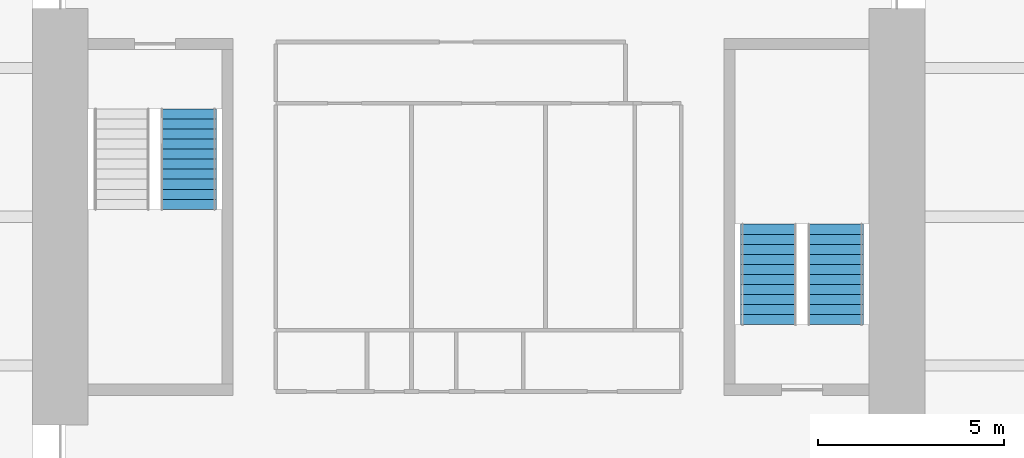
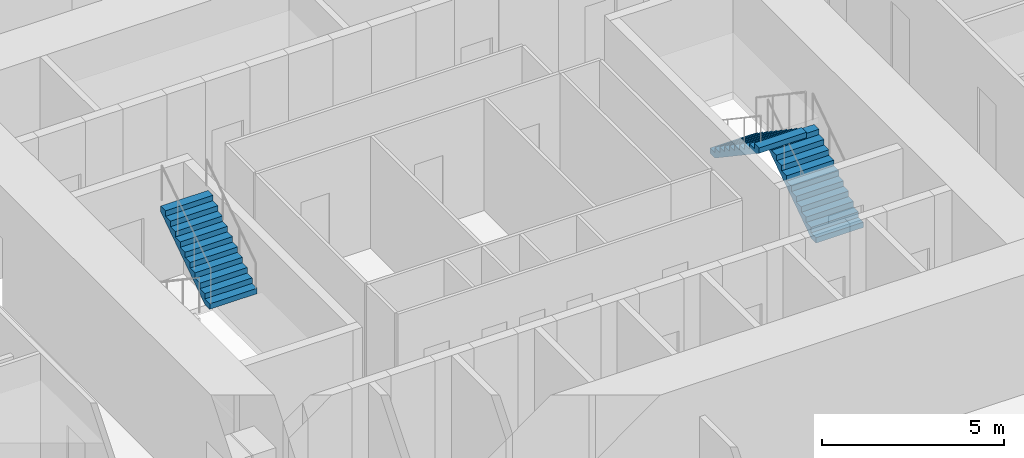
# One storey, part 16 of 17: 3 stair flights, 2 elements without a shape of their own.
"""IFC4 building model written with IfcOpenShell, lengths in metres."""

from ifc_helpers import new_model, si_unit, direction, frame, origin, place, context, subcontext, project, spatial, polyline, outline, extrude, material, type_object, element, aggregate, save


model = new_model("IFC4")

# Units and contexts
model_context = context("Model", 3, precision=1e-05, world=origin(), true_north=direction((0.0, 1.0)))
body_context = subcontext(model_context, "Body", "Model", "MODEL_VIEW")
ifc_project = project(units=[si_unit("LENGTHUNIT", "METRE"), si_unit("AREAUNIT", "SQUARE_METRE"), si_unit("VOLUMEUNIT", "CUBIC_METRE"), si_unit("PLANEANGLEUNIT", "RADIAN"), si_unit("MASSUNIT", "GRAM", prefix="KILO")], contexts=[model_context])

# Site, building, storey
site_placement = place(None, origin())
site = spatial("IfcSite", under=ifc_project, at=site_placement, CompositionType="ELEMENT")
building_placement = place(site_placement, origin())
building = spatial("IfcBuilding", under=site, at=building_placement, Name="Peilmerk Tower", CompositionType="ELEMENT")
storey_placement = place(building_placement, frame((0.0, 0.0, 147.800048828125)))
storey = spatial("IfcBuildingStorey", under=building, at=storey_placement, Name="L30", CompositionType="ELEMENT", Elevation=147.800048828125)

# Stair, stair flight
ifc_material = material(Name="Precast concrete C45/55", Category="concrete")
stair_type_1 = type_object("IfcStairType", Name="ST1 22 risers of 181.8", PredefinedType="HALF_TURN_STAIR", material=ifc_material)
stair_1_placement = place(storey_placement, origin())
stair_1 = element("IfcStair", 1, at=stair_1_placement, inside=storey, type_object=stair_type_1, Name="Stair 1 L30 to L31", PredefinedType="HALF_TURN_STAIR")
stair_flight_type = type_object("IfcStairFlightType", Name="SF11 flight, 11 risers of 181.8", PredefinedType="STRAIGHT", material=ifc_material)
stair_flight_1_placement = place(storey_placement, frame((-7.800048828125, 0.199951171875, 2.0), z_axis=(0.0, 0.0, 1.0), x_axis=(0.0, 1.0, 0.0)))
stair_flight_1 = element("IfcStairFlight", 2, at=stair_flight_1_placement, type_object=stair_flight_type, Name="ST1 flight 2", NumberOfRisers=11, NumberOfTreads=10, PredefinedType="STRAIGHT", RiserHeight=0.181818182, TreadLength=0.27, context=body_context, shape_type="SweptSolid", body=[
    extrude(outline(polyline([(0.0, 0.0), (0.0, 0.181884765625), (0.27001953125, 0.181884765625), (0.27001953125, 0.363525390625), (0.5400390625, 0.363525390625), (0.5400390625, 0.54541015625), (0.81005859375, 0.54541015625), (0.81005859375, 0.727294921875), (1.080078125, 0.727294921875), (1.080078125, 0.9091796875), (1.35009765625, 0.9091796875), (1.35009765625, 1.0908203125), (1.6201171875, 1.0908203125), (1.6201171875, 1.272705078125), (1.889892578125, 1.272705078125), (1.889892578125, 1.45458984375), (2.159912109375, 1.45458984375), (2.159912109375, 1.636474609375), (2.429931640625, 1.636474609375), (2.429931640625, 1.818115234375), (2.699951171875, 1.818115234375), (2.699951171875, 2.0), (2.699951171875, 1.637451171875), (0.268310546875, 0.0), (0.0, 0.0)])), frame((0.0, 0.75, 0.0), z_axis=(0.0, -1.0, 0.0), x_axis=(1.0, 0.0, 0.0)), (0.0, 0.0, 1.0), 1.5),
])
aggregate(stair_1, [stair_flight_1])

# Stair, stair flights
stair_type_2 = type_object("IfcStairType", Name="ST2 22 risers of 181.8", PredefinedType="HALF_TURN_STAIR", material=ifc_material)
stair_2_placement = place(storey_placement, origin())
stair_2 = element("IfcStair", 3, at=stair_2_placement, inside=storey, type_object=stair_type_2, Name="Stair 2 L30 to L31", PredefinedType="HALF_TURN_STAIR")
stair_flight_2_placement = place(storey_placement, frame((9.60009765625, -2.89990234375, 0.0), z_axis=(0.0, 0.0, 1.0), x_axis=(0.0, 1.0, 0.0)))
stair_flight_2 = element("IfcStairFlight", 4, at=stair_flight_2_placement, type_object=stair_flight_type, Name="ST2 flight 1", NumberOfRisers=11, NumberOfTreads=10, PredefinedType="STRAIGHT", RiserHeight=0.181818182, TreadLength=0.27, context=body_context, shape_type="SweptSolid", body=[
    extrude(outline(polyline([(0.0, 0.0), (0.0, 0.181884765625), (0.27001953125, 0.181884765625), (0.27001953125, 0.363525390625), (0.5400390625, 0.363525390625), (0.5400390625, 0.54541015625), (0.81005859375, 0.54541015625), (0.81005859375, 0.727294921875), (1.080078125, 0.727294921875), (1.080078125, 0.9091796875), (1.35009765625, 0.9091796875), (1.35009765625, 1.0908203125), (1.6201171875, 1.0908203125), (1.6201171875, 1.272705078125), (1.889892578125, 1.272705078125), (1.889892578125, 1.45458984375), (2.159912109375, 1.45458984375), (2.159912109375, 1.636474609375), (2.429931640625, 1.636474609375), (2.429931640625, 1.818115234375), (2.699951171875, 1.818115234375), (2.699951171875, 2.0), (2.699951171875, 1.637451171875), (0.268310546875, 0.0), (0.0, 0.0)])), frame((0.0, 0.75, 0.0), z_axis=(0.0, -1.0, 0.0), x_axis=(1.0, 0.0, 0.0)), (0.0, 0.0, 1.0), 1.5),
])
stair_flight_3_placement = place(storey_placement, frame((7.800048828125, -0.199951171875, 2.0), z_axis=(0.0, 0.0, 1.0), x_axis=(0.0, -1.0, 0.0)))
stair_flight_3 = element("IfcStairFlight", 5, at=stair_flight_3_placement, type_object=stair_flight_type, Name="ST2 flight 2", NumberOfRisers=11, NumberOfTreads=10, PredefinedType="STRAIGHT", RiserHeight=0.181818182, TreadLength=0.27, context=body_context, shape_type="SweptSolid", body=[
    extrude(outline(polyline([(0.0, 0.0), (0.0, 0.181884765625), (0.27001953125, 0.181884765625), (0.27001953125, 0.363525390625), (0.5400390625, 0.363525390625), (0.5400390625, 0.54541015625), (0.81005859375, 0.54541015625), (0.81005859375, 0.727294921875), (1.080078125, 0.727294921875), (1.080078125, 0.9091796875), (1.35009765625, 0.9091796875), (1.35009765625, 1.0908203125), (1.6201171875, 1.0908203125), (1.6201171875, 1.272705078125), (1.889892578125, 1.272705078125), (1.889892578125, 1.45458984375), (2.159912109375, 1.45458984375), (2.159912109375, 1.636474609375), (2.429931640625, 1.636474609375), (2.429931640625, 1.818115234375), (2.699951171875, 1.818115234375), (2.699951171875, 2.0), (2.699951171875, 1.637451171875), (0.268310546875, 0.0), (0.0, 0.0)])), frame((0.0, 0.75, 0.0), z_axis=(0.0, -1.0, 0.0), x_axis=(1.0, 0.0, 0.0)), (0.0, 0.0, 1.0), 1.5),
])
aggregate(stair_2, [stair_flight_2, stair_flight_3])

save(model, "model.ifc")
